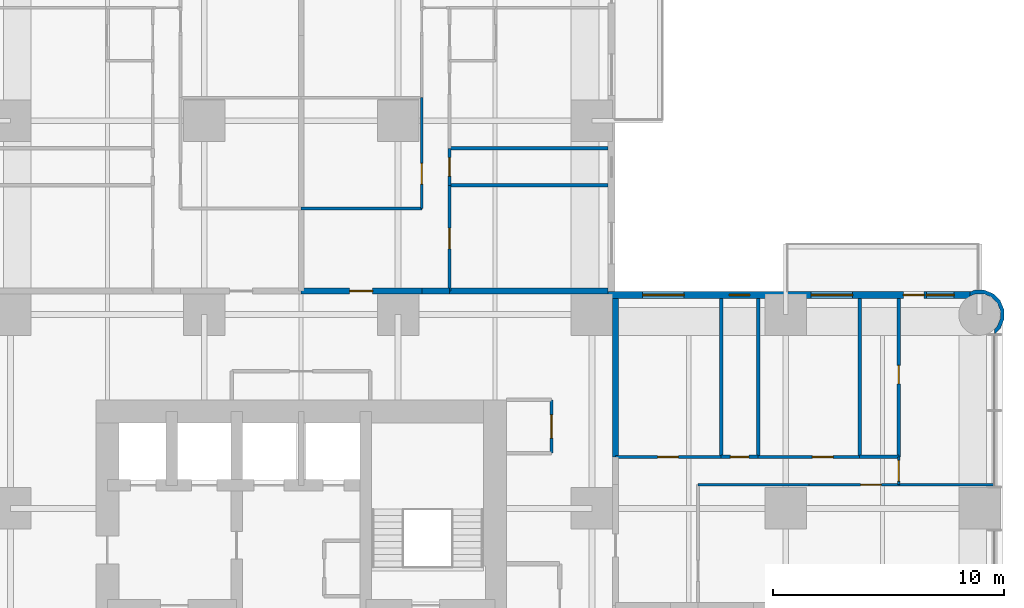
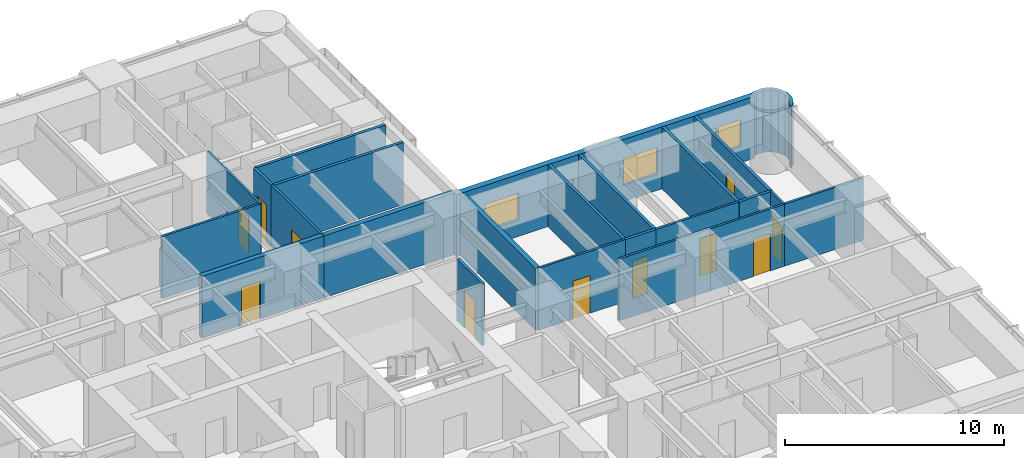
# One storey, part 14 of 17: 25 walls, 12 doors, 4 windows, 16 openings.
"""IFC4 building model written with IfcOpenShell, lengths in metres."""

from ifc_helpers import new_model, si_unit, direction, frame, frame_2d, origin, place, context, subcontext, project, spatial, polyline, rectangle, outline, extrude, material, layer, layer_set, type_object, element, fill, save


model = new_model("IFC4")

# Units and contexts
model_context = context("Model", 3, precision=1e-05, world=origin(), true_north=direction((0.0, 1.0)))
body_context = subcontext(model_context, "Body", "Model", "MODEL_VIEW")
ifc_project = project(units=[si_unit("LENGTHUNIT", "METRE"), si_unit("AREAUNIT", "SQUARE_METRE"), si_unit("VOLUMEUNIT", "CUBIC_METRE"), si_unit("PLANEANGLEUNIT", "RADIAN"), si_unit("MASSUNIT", "GRAM", prefix="KILO")], contexts=[model_context])

# Site, building, storey
site_placement = place(None, origin())
site = spatial("IfcSite", under=ifc_project, at=site_placement, CompositionType="ELEMENT")
building_placement = place(site_placement, origin())
building = spatial("IfcBuilding", under=site, at=building_placement, Name="Torre Alcanfor", CompositionType="ELEMENT")
storey_placement = place(building_placement, frame((0.0, 0.0, 52.5)))
storey = spatial("IfcBuildingStorey", under=building, at=storey_placement, Name="L12", CompositionType="ELEMENT", Elevation=52.5)

# Wall, opening, door
ifc_material_1 = material(Name="Concrete block masonry, hollow blocks NMX-C-404 9 MPa", Category="masonry")
ifc_layer_1 = layer(ifc_material_1, 0.25)
ifc_layer_set_1 = layer_set([ifc_layer_1], Name="Apartment entrance wall 250 EI 60")
wall_type_1 = type_object("IfcWallType", Name="Apartment entrance wall 250 EI 60", PredefinedType="PARTITIONING", material=ifc_layer_set_1)
wall_1_placement = place(storey_placement, frame((29.39990234375, 43.02490234375, 0.0), z_axis=(0.0, 0.0, 1.0), x_axis=(1.0, 0.0, 0.0)))
wall_1 = element("IfcWall", 1, at=wall_1_placement, inside=storey, type_object=wall_type_1, Name="Partition L12-CORR / L12-N2-ZAG", PredefinedType="PARTITIONING", context=body_context, shape_type="SweptSolid", body=[
    extrude(rectangle(XDim=5.22900390625, YDim=0.25, at=frame_2d((2.614501953125, 0.0))), origin(), (0.0, 0.0, 1.0), 3.449951171875),
])
opening_1_placement = place(wall_1_placement, frame((2.10009765625, 0.0, 0.0)))
opening_1 = element("IfcOpeningElement", 2, at=opening_1_placement, cuts=wall_1, Name="Opening D-A1", PredefinedType="OPENING", context=body_context, shape_type="SweptSolid", body=[
    extrude(rectangle(XDim=1.0, YDim=2.10009765625, at=frame_2d((0.5, 1.050048828125))), frame((0.0, 0.135009765625, 0.0), z_axis=(0.0, -1.0, 0.0), x_axis=(1.0, 0.0, 0.0)), (0.0, 0.0, 1.0), 0.27001953125),
])
ifc_material_2 = material(Name="Galvanised steel sheet ASTM A653", Category="steel")
door_type_1 = type_object("IfcDoorType", Name="Apartment entrance door FD60 1000x2100", OperationType="SINGLE_SWING_LEFT", PredefinedType="DOOR", material=ifc_material_2)
door_1_placement = place(opening_1_placement, origin())
door_1 = element("IfcDoor", 3, at=door_1_placement, inside=storey, type_object=door_type_1, Name="Apartment entrance L12-N2", OperationType="SINGLE_SWING_LEFT", OverallHeight=2.10009765625, OverallWidth=1.0, PredefinedType="DOOR", context=body_context, shape_type="SweptSolid", body=[
    extrude(rectangle(XDim=1.0, YDim=2.10009765625, at=frame_2d((0.5, 1.050048828125))), frame((0.0, 0.02490234375, 0.0), z_axis=(0.0, -1.0, 0.0), x_axis=(1.0, 0.0, 0.0)), (0.0, 0.0, 1.0), 0.050048828125),
])
fill(opening_1, door_1)

# Walls
wall_2_placement = place(storey_placement, frame((34.62890625, 43.02490234375, 0.0), z_axis=(0.0, 0.0, 1.0), x_axis=(1.0, 0.0, 0.0)))
element("IfcWall", 4, at=wall_2_placement, inside=storey, type_object=wall_type_1, Name="Partition L12-CORR / L12-N2-HALL", PredefinedType="PARTITIONING", context=body_context, shape_type="SweptSolid", body=[
    extrude(rectangle(XDim=1.2001953125, YDim=0.25, at=frame_2d((0.60009765625, 0.0))), origin(), (0.0, 0.0, 1.0), 3.449951171875),
])
for number, where, z_axis, x_axis, name in (
    (5, (35.8291015625, 43.02490234375, 0.0), (0.0, 0.0, 1.0), (1.0, 0.0, 0.0), "Partition L12-CORR / L12-N2-BED2"),
    (6, (43.02490234375, 42.699951171875, 0.0), (0.0, 0.0, 1.0), (0.0, -1.0, 0.0), "Partition L12-CORR / L12-E1-BED3"),
):
    element("IfcWall", number, at=place(storey_placement, frame(where, z_axis=z_axis, x_axis=x_axis)), inside=storey, type_object=wall_type_1, Name=name, PredefinedType="PARTITIONING", context=body_context, shape_type="SweptSolid", body=[
        extrude(rectangle(XDim=6.870849609375, YDim=0.25, at=frame_2d((3.435546875, 0.0))), origin(), (0.0, 0.0, 1.0), 3.449951171875),
    ])
ifc_material_3 = material(Name="Gypsum board on steel studs", Category="steel")
ifc_layer_2 = layer(ifc_material_3, 0.1201171875)
ifc_layer_set_2 = layer_set([ifc_layer_2], Name="Apartment partition 120")
wall_type_2 = type_object("IfcWallType", Name="Apartment partition 120", PredefinedType="PARTITIONING", material=ifc_layer_set_2)
wall_3_placement = place(storey_placement, frame((29.39990234375, 46.60009765625, 0.0), z_axis=(0.0, 0.0, 1.0), x_axis=(1.0, 0.0, 0.0)))
element("IfcWall", 7, at=wall_3_placement, inside=storey, type_object=wall_type_2, Name="Partition L12-N2-ZAG / L12-N2-FAMILY", PredefinedType="PARTITIONING", context=body_context, shape_type="SweptSolid", body=[
    extrude(rectangle(XDim=5.22900390625, YDim=0.1201171875, at=frame_2d((2.614501953125, 0.0))), origin(), (0.0, 0.0, 1.0), 3.449951171875),
])

# Wall, opening, door
wall_4_placement = place(storey_placement, frame((34.62890625, 51.39990234375, 0.0), z_axis=(0.0, 0.0, 1.0), x_axis=(0.0, -1.0, 0.0)))
wall_4 = element("IfcWall", 8, at=wall_4_placement, inside=storey, type_object=wall_type_2, Name="Partition L12-N2-FAMILY / L12-N2-HALL", PredefinedType="PARTITIONING", context=body_context, shape_type="SweptSolid", body=[
    extrude(rectangle(XDim=4.7998046875, YDim=0.1201171875, at=frame_2d((2.39990234375, 0.0))), origin(), (0.0, 0.0, 1.0), 3.449951171875),
])
opening_2_placement = place(wall_4_placement, frame((2.85009765625, 0.0, 0.0)))
opening_2 = element("IfcOpeningElement", 9, at=opening_2_placement, cuts=wall_4, Name="Opening D-R1", PredefinedType="OPENING", context=body_context, shape_type="SweptSolid", body=[
    extrude(rectangle(XDim=0.89990234375, YDim=2.10009765625, at=frame_2d((0.449951171875, 1.050048828125))), frame((0.0, 0.070068359375, 0.0), z_axis=(0.0, -1.0, 0.0), x_axis=(1.0, 0.0, 0.0)), (0.0, 0.0, 1.0), 0.14013671875),
])
ifc_material_4 = material(Name="Timber", Category="wood")
door_type_2 = type_object("IfcDoorType", Name="Internal door 900x2100", OperationType="SINGLE_SWING_LEFT", PredefinedType="DOOR", material=ifc_material_4)
door_2_placement = place(opening_2_placement, frame((0.89990234375, 0.0, 0.0), z_axis=(0.0, 0.0, 1.0), x_axis=(-1.0, 0.0, 0.0)))
door_2 = element("IfcDoor", 10, at=door_2_placement, inside=storey, type_object=door_type_2, Name="Door L12-N2 family", OperationType="SINGLE_SWING_LEFT", OverallHeight=2.10009765625, OverallWidth=0.89990234375, PredefinedType="DOOR", context=body_context, shape_type="SweptSolid", body=[
    extrude(rectangle(XDim=0.89990234375, YDim=2.10009765625, at=frame_2d((0.449951171875, 1.050048828125))), frame((0.0, 0.025146484375, 0.0), z_axis=(0.0, -1.0, 0.0), x_axis=(1.0, 0.0, 0.0)), (0.0, 0.0, 1.0), 0.050048828125),
])
fill(opening_2, door_2)

wall_5_placement = place(storey_placement, frame((35.8291015625, 47.60009765625, 0.0), z_axis=(0.0, 0.0, 1.0), x_axis=(0.0, -1.0, 0.0)))
wall_5 = element("IfcWall", 11, at=wall_5_placement, inside=storey, type_object=wall_type_2, Name="Partition L12-N2-HALL / L12-N2-BED2", PredefinedType="PARTITIONING", context=body_context, shape_type="SweptSolid", body=[
    extrude(rectangle(XDim=4.5751953125, YDim=0.1201171875, at=frame_2d((2.28759765625, 0.0))), origin(), (0.0, 0.0, 1.0), 3.449951171875),
])
opening_3_placement = place(wall_5_placement, frame((1.85009765625, 0.0, 0.0)))
opening_3 = element("IfcOpeningElement", 12, at=opening_3_placement, cuts=wall_5, Name="Opening D-R1", PredefinedType="OPENING", context=body_context, shape_type="SweptSolid", body=[
    extrude(rectangle(XDim=0.89990234375, YDim=2.10009765625, at=frame_2d((0.449951171875, 1.050048828125))), frame((0.0, 0.070068359375, 0.0), z_axis=(0.0, -1.0, 0.0), x_axis=(1.0, 0.0, 0.0)), (0.0, 0.0, 1.0), 0.14013671875),
])
door_3_placement = place(opening_3_placement, origin())
door_3 = element("IfcDoor", 13, at=door_3_placement, inside=storey, type_object=door_type_2, Name="Door L12-N2 bed2", OperationType="SINGLE_SWING_RIGHT", OverallHeight=2.10009765625, OverallWidth=0.89990234375, PredefinedType="DOOR", context=body_context, shape_type="SweptSolid", body=[
    extrude(rectangle(XDim=0.89990234375, YDim=2.10009765625, at=frame_2d((0.449951171875, 1.050048828125))), frame((0.0, 0.02490234375, 0.0), z_axis=(0.0, -1.0, 0.0), x_axis=(1.0, 0.0, 0.0)), (0.0, 0.0, 1.0), 0.050048828125),
])
fill(opening_3, door_3)

# Wall
wall_6_placement = place(storey_placement, frame((51.39990234375, 34.62890625, 0.0), z_axis=(0.0, 0.0, 1.0), x_axis=(-1.0, 0.0, 0.0)))
element("IfcWall", 14, at=wall_6_placement, inside=storey, type_object=wall_type_2, Name="Partition L12-E1-KITCHEN / L12-E1-HALL", PredefinedType="PARTITIONING", context=body_context, shape_type="SweptSolid", body=[
    extrude(rectangle(XDim=4.7998046875, YDim=0.1201171875, at=frame_2d((2.39990234375, 0.0))), origin(), (0.0, 0.0, 1.0), 3.449951171875),
])

# Wall, opening, door
wall_7_placement = place(storey_placement, frame((55.300048828125, 34.62890625, 0.0), z_axis=(0.0, 0.0, 1.0), x_axis=(-1.0, 0.0, 0.0)))
wall_7 = element("IfcWall", 15, at=wall_7_placement, inside=storey, type_object=wall_type_2, Name="Partition L12-E1-LIVING / L12-E1-HALL", PredefinedType="PARTITIONING", context=body_context, shape_type="SweptSolid", body=[
    extrude(rectangle(XDim=3.900146484375, YDim=0.1201171875, at=frame_2d((1.9501953125, 0.0))), origin(), (0.0, 0.0, 1.0), 3.449951171875),
])
opening_4_placement = place(wall_7_placement, frame((0.75, 0.0, 0.0)))
opening_4 = element("IfcOpeningElement", 16, at=opening_4_placement, cuts=wall_7, Name="Opening D-R1", PredefinedType="OPENING", context=body_context, shape_type="SweptSolid", body=[
    extrude(rectangle(XDim=0.89990234375, YDim=2.10009765625, at=frame_2d((0.449951171875, 1.050048828125))), frame((0.0, 0.070068359375, 0.0), z_axis=(0.0, -1.0, 0.0), x_axis=(1.0, 0.0, 0.0)), (0.0, 0.0, 1.0), 0.14013671875),
])
door_4_placement = place(opening_4_placement, origin())
door_4 = element("IfcDoor", 17, at=door_4_placement, inside=storey, type_object=door_type_2, Name="Door L12-E1 living", OperationType="SINGLE_SWING_RIGHT", OverallHeight=2.10009765625, OverallWidth=0.89990234375, PredefinedType="DOOR", context=body_context, shape_type="SweptSolid", body=[
    extrude(rectangle(XDim=0.89990234375, YDim=2.10009765625, at=frame_2d((0.449951171875, 1.050048828125))), frame((0.0, 0.02490234375, 0.0), z_axis=(0.0, -1.0, 0.0), x_axis=(1.0, 0.0, 0.0)), (0.0, 0.0, 1.0), 0.050048828125),
])
fill(opening_4, door_4)

# Wall
wall_8_placement = place(storey_placement, frame((59.449951171875, 34.62890625, 0.0), z_axis=(0.0, 0.0, 1.0), x_axis=(-1.0, 0.0, 0.0)))
element("IfcWall", 18, at=wall_8_placement, inside=storey, type_object=wall_type_2, Name="Partition L12-E1-LIVING / L12-E1-MASTER", PredefinedType="PARTITIONING", context=body_context, shape_type="SweptSolid", body=[
    extrude(rectangle(XDim=4.14990234375, YDim=0.1201171875, at=frame_2d((2.074951171875, 0.0))), origin(), (0.0, 0.0, 1.0), 3.449951171875),
])

# Wall, opening, door
wall_9_placement = place(storey_placement, frame((47.60009765625, 35.8291015625, 0.0), z_axis=(0.0, 0.0, 1.0), x_axis=(-1.0, 0.0, 0.0)))
wall_9 = element("IfcWall", 19, at=wall_9_placement, inside=storey, type_object=wall_type_2, Name="Partition L12-E1-HALL / L12-E1-BED3", PredefinedType="PARTITIONING", context=body_context, shape_type="SweptSolid", body=[
    extrude(rectangle(XDim=4.5751953125, YDim=0.1201171875, at=frame_2d((2.28759765625, 0.0))), origin(), (0.0, 0.0, 1.0), 3.449951171875),
])
opening_5_placement = place(wall_9_placement, frame((1.85009765625, 0.0, 0.0)))
opening_5 = element("IfcOpeningElement", 20, at=opening_5_placement, cuts=wall_9, Name="Opening D-R1", PredefinedType="OPENING", context=body_context, shape_type="SweptSolid", body=[
    extrude(rectangle(XDim=0.89990234375, YDim=2.10009765625, at=frame_2d((0.449951171875, 1.050048828125))), frame((0.0, 0.070068359375, 0.0), z_axis=(0.0, -1.0, 0.0), x_axis=(1.0, 0.0, 0.0)), (0.0, 0.0, 1.0), 0.14013671875),
])
door_5_placement = place(opening_5_placement, frame((0.89990234375, 0.0, 0.0), z_axis=(0.0, 0.0, 1.0), x_axis=(-1.0, 0.0, 0.0)))
door_5 = element("IfcDoor", 21, at=door_5_placement, inside=storey, type_object=door_type_2, Name="Door L12-E1 bed3", OperationType="SINGLE_SWING_LEFT", OverallHeight=2.10009765625, OverallWidth=0.89990234375, PredefinedType="DOOR", context=body_context, shape_type="SweptSolid", body=[
    extrude(rectangle(XDim=0.89990234375, YDim=2.10009765625, at=frame_2d((0.449951171875, 1.050048828125))), frame((0.0, 0.025146484375, 0.0), z_axis=(0.0, -1.0, 0.0), x_axis=(1.0, 0.0, 0.0)), (0.0, 0.0, 1.0), 0.050048828125),
])
fill(opening_5, door_5)

wall_10_placement = place(storey_placement, frame((53.60009765625, 35.8291015625, 0.0), z_axis=(0.0, 0.0, 1.0), x_axis=(-1.0, 0.0, 0.0)))
wall_10 = element("IfcWall", 22, at=wall_10_placement, inside=storey, type_object=wall_type_2, Name="Partition L12-E1-HALL / L12-E1-BED2", PredefinedType="PARTITIONING", context=body_context, shape_type="SweptSolid", body=[
    extrude(rectangle(XDim=4.400146484375, YDim=0.1201171875, at=frame_2d((2.2001953125, 0.0))), origin(), (0.0, 0.0, 1.0), 3.449951171875),
])
opening_6_placement = place(wall_10_placement, frame((1.14990234375, 0.0, 0.0)))
opening_6 = element("IfcOpeningElement", 23, at=opening_6_placement, cuts=wall_10, Name="Opening D-R1", PredefinedType="OPENING", context=body_context, shape_type="SweptSolid", body=[
    extrude(rectangle(XDim=0.89990234375, YDim=2.10009765625, at=frame_2d((0.449951171875, 1.050048828125))), frame((0.0, 0.070068359375, 0.0), z_axis=(0.0, -1.0, 0.0), x_axis=(1.0, 0.0, 0.0)), (0.0, 0.0, 1.0), 0.14013671875),
])
door_6_placement = place(opening_6_placement, frame((0.89990234375, 0.0, 0.0), z_axis=(0.0, 0.0, 1.0), x_axis=(-1.0, 0.0, 0.0)))
door_6 = element("IfcDoor", 24, at=door_6_placement, inside=storey, type_object=door_type_2, Name="Door L12-E1 bed2", OperationType="SINGLE_SWING_RIGHT", OverallHeight=2.10009765625, OverallWidth=0.89990234375, PredefinedType="DOOR", context=body_context, shape_type="SweptSolid", body=[
    extrude(rectangle(XDim=0.89990234375, YDim=2.10009765625, at=frame_2d((0.449951171875, 1.050048828125))), frame((0.0, 0.025146484375, 0.0), z_axis=(0.0, -1.0, 0.0), x_axis=(1.0, 0.0, 0.0)), (0.0, 0.0, 1.0), 0.050048828125),
])
fill(opening_6, door_6)

wall_11_placement = place(storey_placement, frame((55.300048828125, 34.62890625, 0.0), z_axis=(0.0, 0.0, 1.0), x_axis=(0.0, 1.0, 0.0)))
wall_11 = element("IfcWall", 25, at=wall_11_placement, inside=storey, type_object=wall_type_2, Name="Partition L12-E1-HALL / L12-E1-MASTER", PredefinedType="PARTITIONING", context=body_context, shape_type="SweptSolid", body=[
    extrude(rectangle(XDim=1.2001953125, YDim=0.1201171875, at=frame_2d((0.60009765625, 0.0))), origin(), (0.0, 0.0, 1.0), 3.449951171875),
])
opening_7_placement = place(wall_11_placement, frame((0.15087890625, 0.0, 0.0)))
opening_7 = element("IfcOpeningElement", 26, at=opening_7_placement, cuts=wall_11, Name="Opening D-R1", PredefinedType="OPENING", context=body_context, shape_type="SweptSolid", body=[
    extrude(rectangle(XDim=0.89990234375, YDim=2.10009765625, at=frame_2d((0.449951171875, 1.050048828125))), frame((0.0, 0.070068359375, 0.0), z_axis=(0.0, -1.0, 0.0), x_axis=(1.0, 0.0, 0.0)), (0.0, 0.0, 1.0), 0.14013671875),
])
door_7_placement = place(opening_7_placement, frame((0.89990234375, 0.0, 0.0), z_axis=(0.0, 0.0, 1.0), x_axis=(-1.0, 0.0, 0.0)))
door_7 = element("IfcDoor", 27, at=door_7_placement, inside=storey, type_object=door_type_2, Name="Door L12-E1 master", OperationType="SINGLE_SWING_RIGHT", OverallHeight=2.10009765625, OverallWidth=0.89990234375, PredefinedType="DOOR", context=body_context, shape_type="SweptSolid", body=[
    extrude(rectangle(XDim=0.89990234375, YDim=2.10009765625, at=frame_2d((0.449951171875, 1.050048828125))), frame((0.0, 0.025146484375, 0.0), z_axis=(0.0, -1.0, 0.0), x_axis=(1.0, 0.0, 0.0)), (0.0, 0.0, 1.0), 0.050048828125),
])
fill(opening_7, door_7)

# Wall, openings, door, windows
ifc_material_5 = material(Name="Limestone cladding", Category="masonry")
ifc_layer_3 = layer(ifc_material_5, 0.0400390625, Name="Facing")
ifc_material_6 = material(Name="Ventilated air cavity")
ifc_layer_4 = layer(ifc_material_6, 0.02001953125, ventilated=True, Name="Ventilated joint")
ifc_material_7 = material(Name="Mineral wool insulation", Category="insulation")
ifc_layer_5 = layer(ifc_material_7, 0.10009765625, Name="Insulation")
ifc_material_8 = material(Name="Concrete f'c 35 MPa", Category="concrete")
ifc_layer_6 = layer(ifc_material_8, 0.139892578125, Name="Backing")
ifc_layer_set_3 = layer_set([ifc_layer_3, ifc_layer_4, ifc_layer_5, ifc_layer_6], Name="External wall stone-clad 300")
wall_type_3 = type_object("IfcWallType", Name="External wall stone-clad 300", PredefinedType="SOLIDWALL", material=ifc_layer_set_3)
wall_12_placement = place(storey_placement, frame((58.39990234375, 42.85009765625, 0.0), z_axis=(0.0, 0.0, 1.0), x_axis=(-1.0, 0.0, 0.0)))
wall_12 = element("IfcWall", 28, at=wall_12_placement, inside=storey, type_object=wall_type_3, Name="External wall L12 9", PredefinedType="SOLIDWALL", context=body_context, shape_type="SweptSolid", body=[
    extrude(rectangle(XDim=15.699951171875, YDim=0.300048828125, at=frame_2d((7.85009765625, 0.0))), origin(), (0.0, 0.0, 1.0), 3.449951171875),
])
opening_8_placement = place(wall_12_placement, frame((12.39990234375, 0.0, 0.89990234375)))
opening_8 = element("IfcOpeningElement", 29, at=opening_8_placement, cuts=wall_12, Name="Opening W2", PredefinedType="OPENING", context=body_context, shape_type="SweptSolid", body=[
    extrude(rectangle(XDim=1.800048828125, YDim=1.5, at=frame_2d((0.89990234375, 0.75))), frame((0.0, 0.159912109375, 0.0), z_axis=(0.0, -1.0, 0.0), x_axis=(1.0, 0.0, 0.0)), (0.0, 0.0, 1.0), 0.320068359375),
])
opening_9_placement = place(wall_12_placement, frame((9.550048828125, 0.0, 1.5)))
opening_9 = element("IfcOpeningElement", 30, at=opening_9_placement, cuts=wall_12, Name="Opening W3", PredefinedType="OPENING", context=body_context, shape_type="SweptSolid", body=[
    extrude(rectangle(XDim=0.89990234375, YDim=0.699951171875, at=frame_2d((0.449951171875, 0.35009765625))), frame((0.0, 0.159912109375, 0.0), z_axis=(0.0, -1.0, 0.0), x_axis=(1.0, 0.0, 0.0)), (0.0, 0.0, 1.0), 0.320068359375),
])
opening_10_placement = place(wall_12_placement, frame((5.10009765625, 0.0, 0.89990234375)))
opening_10 = element("IfcOpeningElement", 31, at=opening_10_placement, cuts=wall_12, Name="Opening W2", PredefinedType="OPENING", context=body_context, shape_type="SweptSolid", body=[
    extrude(rectangle(XDim=1.800048828125, YDim=1.5, at=frame_2d((0.89990234375, 0.75))), frame((0.0, 0.159912109375, 0.0), z_axis=(0.0, -1.0, 0.0), x_axis=(1.0, 0.0, 0.0)), (0.0, 0.0, 1.0), 0.320068359375),
])
opening_11_placement = place(wall_12_placement, frame((2.0, 0.0, 0.0)))
opening_11 = element("IfcOpeningElement", 32, at=opening_11_placement, cuts=wall_12, Name="Opening D-B1", PredefinedType="OPENING", context=body_context, shape_type="SweptSolid", body=[
    extrude(rectangle(XDim=0.89990234375, YDim=2.39990234375, at=frame_2d((0.449951171875, 1.199951171875))), frame((0.0, 0.159912109375, 0.0), z_axis=(0.0, -1.0, 0.0), x_axis=(1.0, 0.0, 0.0)), (0.0, 0.0, 1.0), 0.320068359375),
])
opening_12_placement = place(wall_12_placement, frame((0.699951171875, 0.0, 0.89990234375)))
opening_12 = element("IfcOpeningElement", 33, at=opening_12_placement, cuts=wall_12, Name="Opening W4", PredefinedType="OPENING", context=body_context, shape_type="SweptSolid", body=[
    extrude(rectangle(XDim=1.199951171875, YDim=1.5, at=frame_2d((0.60009765625, 0.75))), frame((0.0, 0.159912109375, 0.0), z_axis=(0.0, -1.0, 0.0), x_axis=(1.0, 0.0, 0.0)), (0.0, 0.0, 1.0), 0.320068359375),
])
ifc_material_9 = material(Name="Aluminium and glass", Category="aluminium")
door_type_3 = type_object("IfcDoorType", Name="Balcony door glazed 900x2400", OperationType="SINGLE_SWING_LEFT", PredefinedType="DOOR", material=ifc_material_9)
door_8_placement = place(opening_11_placement, origin())
door_8 = element("IfcDoor", 34, at=door_8_placement, inside=storey, type_object=door_type_3, Name="Balcony door L12-E1", OperationType="SINGLE_SWING_RIGHT", OverallHeight=2.39990234375, OverallWidth=0.89990234375, PredefinedType="DOOR", context=body_context, shape_type="SweptSolid", body=[
    extrude(rectangle(XDim=0.89990234375, YDim=2.39990234375, at=frame_2d((0.449951171875, 1.199951171875))), frame((0.0, 0.02490234375, 0.0), z_axis=(0.0, -1.0, 0.0), x_axis=(1.0, 0.0, 0.0)), (0.0, 0.0, 1.0), 0.050048828125),
])
fill(opening_11, door_8)
ifc_material_10 = material(Name="Aluminium frame with clear double glazing", Category="aluminium")
window_type_1 = type_object("IfcWindowType", Name="Window bathroom 900x700", PartitioningType="SINGLE_PANEL", PredefinedType="WINDOW", material=ifc_material_10)
window_1_placement = place(opening_9_placement, origin())
window_1 = element("IfcWindow", 35, at=window_1_placement, inside=storey, type_object=window_type_1, Name="Window W3 L12-E1", OverallHeight=0.699951171875, OverallWidth=0.89990234375, PartitioningType="SINGLE_PANEL", PredefinedType="WINDOW", context=body_context, shape_type="SweptSolid", body=[
    extrude(rectangle(XDim=0.89990234375, YDim=0.699951171875, at=frame_2d((0.449951171875, 0.35009765625))), frame((0.0, 0.030029296875, 0.0), z_axis=(0.0, -1.0, 0.0), x_axis=(1.0, 0.0, 0.0)), (0.0, 0.0, 1.0), 0.06005859375),
])
fill(opening_9, window_1)
ifc_material_11 = material(Name="Aluminium frame with clear double glazing", Category="aluminium")
window_type_2 = type_object("IfcWindowType", Name="Window bedroom 1200x1500", PartitioningType="SINGLE_PANEL", PredefinedType="WINDOW", material=ifc_material_11)
window_2_placement = place(opening_12_placement, origin())
window_2 = element("IfcWindow", 36, at=window_2_placement, inside=storey, type_object=window_type_2, Name="Window W4 L12-E1", OverallHeight=1.5, OverallWidth=1.199951171875, PartitioningType="SINGLE_PANEL", PredefinedType="WINDOW", context=body_context, shape_type="SweptSolid", body=[
    extrude(rectangle(XDim=1.199951171875, YDim=1.5, at=frame_2d((0.60009765625, 0.75))), frame((0.0, 0.030029296875, 0.0), z_axis=(0.0, -1.0, 0.0), x_axis=(1.0, 0.0, 0.0)), (0.0, 0.0, 1.0), 0.06005859375),
])
fill(opening_12, window_2)
ifc_material_12 = material(Name="Aluminium frame with clear double glazing", Category="aluminium")
window_type_3 = type_object("IfcWindowType", Name="Window bedroom 1800x1500", PartitioningType="SINGLE_PANEL", PredefinedType="WINDOW", material=ifc_material_12)
window_3_placement = place(opening_8_placement, origin())
window_3 = element("IfcWindow", 37, at=window_3_placement, inside=storey, type_object=window_type_3, Name="Window W2 L12-E1", OverallHeight=1.5, OverallWidth=1.800048828125, PartitioningType="SINGLE_PANEL", PredefinedType="WINDOW", context=body_context, shape_type="SweptSolid", body=[
    extrude(rectangle(XDim=1.800048828125, YDim=1.5, at=frame_2d((0.89990234375, 0.75))), frame((0.0, 0.030029296875, 0.0), z_axis=(0.0, -1.0, 0.0), x_axis=(1.0, 0.0, 0.0)), (0.0, 0.0, 1.0), 0.06005859375),
])
fill(opening_8, window_3)
window_4_placement = place(opening_10_placement, origin())
window_4 = element("IfcWindow", 38, at=window_4_placement, inside=storey, type_object=window_type_3, Name="Window W2 L12-E1", OverallHeight=1.5, OverallWidth=1.800048828125, PartitioningType="SINGLE_PANEL", PredefinedType="WINDOW", context=body_context, shape_type="SweptSolid", body=[
    extrude(rectangle(XDim=1.800048828125, YDim=1.5, at=frame_2d((0.89990234375, 0.75))), frame((0.0, 0.030029296875, 0.0), z_axis=(0.0, -1.0, 0.0), x_axis=(1.0, 0.0, 0.0)), (0.0, 0.0, 1.0), 0.06005859375),
])
fill(opening_10, window_4)

# Wall, opening, door
ifc_material_13 = material(Name="Concrete block masonry, hollow blocks NMX-C-404 9 MPa", Category="masonry")
ifc_layer_7 = layer(ifc_material_13, 0.14990234375)
ifc_layer_set_4 = layer_set([ifc_layer_7], Name="Residents' room partition 150")
wall_type_4 = type_object("IfcWallType", Name="Residents' room partition 150", PredefinedType="PARTITIONING", material=ifc_layer_set_4)
wall_13_placement = place(storey_placement, frame((40.25, 36.0, 0.0), z_axis=(0.0, 0.0, 1.0), x_axis=(0.0, 1.0, 0.0)))
wall_13 = element("IfcWall", 39, at=wall_13_placement, inside=storey, type_object=wall_type_4, Name="Partition L12-CORR / L12-G03", PredefinedType="PARTITIONING", context=body_context, shape_type="SweptSolid", body=[
    extrude(rectangle(XDim=2.300048828125, YDim=0.14990234375, at=frame_2d((1.14990234375, 0.0))), origin(), (0.0, 0.0, 1.0), 3.449951171875),
])
opening_13_placement = place(wall_13_placement, frame((0.64990234375, 0.0, 0.0)))
opening_13 = element("IfcOpeningElement", 40, at=opening_13_placement, cuts=wall_13, Name="Opening D-M1", PredefinedType="OPENING", context=body_context, shape_type="SweptSolid", body=[
    extrude(rectangle(XDim=1.0, YDim=2.10009765625, at=frame_2d((0.5, 1.050048828125))), frame((0.0, 0.0849609375, 0.0), z_axis=(0.0, -1.0, 0.0), x_axis=(1.0, 0.0, 0.0)), (0.0, 0.0, 1.0), 0.169921875),
])
ifc_material_14 = material(Name="Timber", Category="wood")
door_type_4 = type_object("IfcDoorType", Name="Residents' room door 1000x2100", OperationType="SINGLE_SWING_LEFT", PredefinedType="DOOR", material=ifc_material_14)
door_9_placement = place(opening_13_placement, origin())
door_9 = element("IfcDoor", 41, at=door_9_placement, inside=storey, type_object=door_type_4, Name="Door L12-G03 parcel room", OperationType="SINGLE_SWING_LEFT", OverallHeight=2.10009765625, OverallWidth=1.0, PredefinedType="DOOR", context=body_context, shape_type="SweptSolid", body=[
    extrude(rectangle(XDim=1.0, YDim=2.10009765625, at=frame_2d((0.5, 1.050048828125))), frame((0.0, 0.02490234375, 0.0), z_axis=(0.0, -1.0, 0.0), x_axis=(1.0, 0.0, 0.0)), (0.0, 0.0, 1.0), 0.050048828125),
])
fill(opening_13, door_9)

# Wall
ifc_layer_8 = layer(ifc_material_5, 0.0400390625, Name="Facing")
ifc_layer_9 = layer(ifc_material_6, 0.02001953125, ventilated=True, Name="Ventilated joint")
ifc_layer_10 = layer(ifc_material_7, 0.10009765625, Name="Insulation")
ifc_layer_11 = layer(ifc_material_8, 0.139892578125, Name="Backing")
ifc_layer_set_5 = layer_set([ifc_layer_8, ifc_layer_9, ifc_layer_10, ifc_layer_11], Name="Rounded corner pier stone-clad 300")
wall_type_5 = type_object("IfcWallType", Name="Rounded corner pier stone-clad 300", PredefinedType="SOLIDWALL", material=ifc_layer_set_5)
wall_14_placement = place(storey_placement, frame((59.410519256, 41.23340608, 0.0), z_axis=(0.0, 0.0, 1.0), x_axis=(0.926129809145, 0.377204953059, 0.0)))
element("IfcWall", 42, at=wall_14_placement, inside=storey, type_object=wall_type_5, Name="Corner pier L12 18", PredefinedType="SOLIDWALL", context=body_context, shape_type="SweptSolid", body=[
    extrude(outline(polyline([(0.6260654471319579, 0.34524919711057256), (0.7850146045978224, 0.7355079985228963), (0.7823098124660501, 1.1573373086599013), (0.6187697625812524, 1.546081906916958), (0.31877691555394516, 1.8425152342918512), (-0.07170799176881437, 2.0015564828107086), (-0.24004949470661174, 2.000526523212158), (-0.2695944713928893, 2.0173049949130335), (-0.36998902843916337, 1.8407134525266757), (-0.10235758996356603, 1.8421635923174307), (0.22956588655630128, 1.7069739265237522), (0.4845024203782949, 1.4552530429107593), (0.6236098424040335, 1.1249645948716174), (0.6257138051575375, 0.7663837026280839), (0.49052413936385914, 0.43446022610821644), (0.23848505878743742, 0.1793896774287799), (0.09020527382959523, 0.11693875386038477), (0.010914877202648991, -0.0777384350249053), (0.02448123182880161, -0.08326389820448342), (0.32940601384662893, 0.045348441136258355), (0.47997135267738844, 0.19755163478368112), (0.49907282709518125, 0.19267151555903828), (0.5076193949673722, 0.22530566424262682), (0.6260654471319579, 0.34524919711057256)])), origin(), (0.0, 0.0, 1.0), 3.449951171875),
])

# Wall, opening, door
ifc_material_15 = material(Name="Cement board on steel studs", Category="steel")
ifc_layer_12 = layer(ifc_material_15, 0.14990234375)
ifc_layer_set_6 = layer_set([ifc_layer_12], Name="Wet area partition 150")
wall_type_6 = type_object("IfcWallType", Name="Wet area partition 150", PredefinedType="PARTITIONING", material=ifc_layer_set_6)
wall_15_placement = place(storey_placement, frame((35.8291015625, 49.199951171875, 0.0), z_axis=(0.0, 0.0, 1.0), x_axis=(0.0, -1.0, 0.0)))
wall_15 = element("IfcWall", 43, at=wall_15_placement, inside=storey, type_object=wall_type_6, Name="Partition L12-N2-HALL / L12-N2-BATH1", PredefinedType="PARTITIONING", context=body_context, shape_type="SweptSolid", body=[
    extrude(rectangle(XDim=1.599853515625, YDim=0.14990234375, at=frame_2d((0.7998046875, 0.0))), origin(), (0.0, 0.0, 1.0), 3.449951171875),
])
opening_14_placement = place(wall_15_placement, frame((0.39990234375, 0.0, 0.0)))
opening_14 = element("IfcOpeningElement", 44, at=opening_14_placement, cuts=wall_15, Name="Opening D-R2", PredefinedType="OPENING", context=body_context, shape_type="SweptSolid", body=[
    extrude(rectangle(XDim=0.800048828125, YDim=2.10009765625, at=frame_2d((0.39990234375, 1.050048828125))), frame((0.0, 0.0849609375, 0.0), z_axis=(0.0, -1.0, 0.0), x_axis=(1.0, 0.0, 0.0)), (0.0, 0.0, 1.0), 0.169921875),
])
ifc_material_16 = material(Name="Timber", Category="wood")
door_type_5 = type_object("IfcDoorType", Name="Bathroom door 800x2100", OperationType="SINGLE_SWING_LEFT", PredefinedType="DOOR", material=ifc_material_16)
door_10_placement = place(opening_14_placement, origin())
door_10 = element("IfcDoor", 45, at=door_10_placement, inside=storey, type_object=door_type_5, Name="Door L12-N2 bath1", OperationType="SINGLE_SWING_LEFT", OverallHeight=2.10009765625, OverallWidth=0.800048828125, PredefinedType="DOOR", context=body_context, shape_type="SweptSolid", body=[
    extrude(rectangle(XDim=0.800048828125, YDim=2.10009765625, at=frame_2d((0.39990234375, 1.050048828125))), frame((0.0, 0.02490234375, 0.0), z_axis=(0.0, -1.0, 0.0), x_axis=(1.0, 0.0, 0.0)), (0.0, 0.0, 1.0), 0.050048828125),
])
fill(opening_14, door_10)

# Walls
for number, where, z_axis, x_axis, name in (
    (46, (35.8291015625, 47.60009765625, 0.0), (0.0, 0.0, 1.0), (1.0, 0.0, 0.0), "Partition L12-N2-BED2 / L12-N2-BATH1"),
    (47, (35.8291015625, 49.199951171875, 0.0), (0.0, 0.0, 1.0), (1.0, 0.0, 0.0), "Partition L12-N2-BATH1 / L12-N2-MASTER"),
):
    element("IfcWall", number, at=place(storey_placement, frame(where, z_axis=z_axis, x_axis=x_axis)), inside=storey, type_object=wall_type_6, Name=name, PredefinedType="PARTITIONING", context=body_context, shape_type="SweptSolid", body=[
        extrude(rectangle(XDim=6.870849609375, YDim=0.14990234375, at=frame_2d((3.435546875, 0.0))), origin(), (0.0, 0.0, 1.0), 3.449951171875),
    ])

# Wall, opening, door
wall_16_placement = place(storey_placement, frame((49.199951171875, 35.8291015625, 0.0), z_axis=(0.0, 0.0, 1.0), x_axis=(-1.0, 0.0, 0.0)))
wall_16 = element("IfcWall", 48, at=wall_16_placement, inside=storey, type_object=wall_type_6, Name="Partition L12-E1-HALL / L12-E1-BATH1", PredefinedType="PARTITIONING", context=body_context, shape_type="SweptSolid", body=[
    extrude(rectangle(XDim=1.599853515625, YDim=0.14990234375, at=frame_2d((0.7998046875, 0.0))), origin(), (0.0, 0.0, 1.0), 3.449951171875),
])
opening_15_placement = place(wall_16_placement, frame((0.39990234375, 0.0, 0.0)))
opening_15 = element("IfcOpeningElement", 49, at=opening_15_placement, cuts=wall_16, Name="Opening D-R2", PredefinedType="OPENING", context=body_context, shape_type="SweptSolid", body=[
    extrude(rectangle(XDim=0.800048828125, YDim=2.10009765625, at=frame_2d((0.39990234375, 1.050048828125))), frame((0.0, 0.0849609375, 0.0), z_axis=(0.0, -1.0, 0.0), x_axis=(1.0, 0.0, 0.0)), (0.0, 0.0, 1.0), 0.169921875),
])
door_11_placement = place(opening_15_placement, frame((0.800048828125, 0.0, 0.0), z_axis=(0.0, 0.0, 1.0), x_axis=(-1.0, 0.0, 0.0)))
door_11 = element("IfcDoor", 50, at=door_11_placement, inside=storey, type_object=door_type_5, Name="Door L12-E1 bath1", OperationType="SINGLE_SWING_RIGHT", OverallHeight=2.10009765625, OverallWidth=0.800048828125, PredefinedType="DOOR", context=body_context, shape_type="SweptSolid", body=[
    extrude(rectangle(XDim=0.800048828125, YDim=2.10009765625, at=frame_2d((0.400146484375, 1.050048828125))), frame((0.0, 0.025146484375, 0.0), z_axis=(0.0, -1.0, 0.0), x_axis=(1.0, 0.0, 0.0)), (0.0, 0.0, 1.0), 0.050048828125),
])
fill(opening_15, door_11)

# Walls
wall_17_placement = place(storey_placement, frame((55.300048828125, 35.8291015625, 0.0), z_axis=(0.0, 0.0, 1.0), x_axis=(-1.0, 0.0, 0.0)))
element("IfcWall", 51, at=wall_17_placement, inside=storey, type_object=wall_type_6, Name="Partition L12-E1-HALL / L12-E1-ENSBATH", PredefinedType="PARTITIONING", context=body_context, shape_type="SweptSolid", body=[
    extrude(rectangle(XDim=1.699951171875, YDim=0.14990234375, at=frame_2d((0.85009765625, 0.0))), origin(), (0.0, 0.0, 1.0), 3.449951171875),
])
for number, where, z_axis, x_axis, name in (
    (52, (47.60009765625, 35.8291015625, 0.0), (0.0, 0.0, 1.0), (0.0, 1.0, 0.0), "Partition L12-E1-BED3 / L12-E1-BATH1"),
    (53, (49.199951171875, 35.8291015625, 0.0), (0.0, 0.0, 1.0), (0.0, 1.0, 0.0), "Partition L12-E1-BATH1 / L12-E1-BED2"),
    (54, (53.60009765625, 35.8291015625, 0.0), (0.0, 0.0, 1.0), (0.0, 1.0, 0.0), "Partition L12-E1-BED2 / L12-E1-ENSBATH"),
):
    element("IfcWall", number, at=place(storey_placement, frame(where, z_axis=z_axis, x_axis=x_axis)), inside=storey, type_object=wall_type_6, Name=name, PredefinedType="PARTITIONING", context=body_context, shape_type="SweptSolid", body=[
        extrude(rectangle(XDim=6.870849609375, YDim=0.14990234375, at=frame_2d((3.435546875, 0.0))), origin(), (0.0, 0.0, 1.0), 3.449951171875),
    ])

# Wall, opening, door
wall_18_placement = place(storey_placement, frame((55.300048828125, 35.8291015625, 0.0), z_axis=(0.0, 0.0, 1.0), x_axis=(0.0, 1.0, 0.0)))
wall_18 = element("IfcWall", 55, at=wall_18_placement, inside=storey, type_object=wall_type_6, Name="Partition L12-E1-ENSBATH / L12-E1-MASTER", PredefinedType="PARTITIONING", context=body_context, shape_type="SweptSolid", body=[
    extrude(rectangle(XDim=6.870849609375, YDim=0.14990234375, at=frame_2d((3.435546875, 0.0))), origin(), (0.0, 0.0, 1.0), 3.449951171875),
])
opening_16_placement = place(wall_18_placement, frame((3.1708984375, 0.0, 0.0)))
opening_16 = element("IfcOpeningElement", 56, at=opening_16_placement, cuts=wall_18, Name="Opening D-R2", PredefinedType="OPENING", context=body_context, shape_type="SweptSolid", body=[
    extrude(rectangle(XDim=0.800048828125, YDim=2.10009765625, at=frame_2d((0.39990234375, 1.050048828125))), frame((0.0, 0.0849609375, 0.0), z_axis=(0.0, -1.0, 0.0), x_axis=(1.0, 0.0, 0.0)), (0.0, 0.0, 1.0), 0.169921875),
])
door_12_placement = place(opening_16_placement, origin())
door_12 = element("IfcDoor", 57, at=door_12_placement, inside=storey, type_object=door_type_5, Name="Door L12-E1 ensbath", OperationType="SINGLE_SWING_RIGHT", OverallHeight=2.10009765625, OverallWidth=0.800048828125, PredefinedType="DOOR", context=body_context, shape_type="SweptSolid", body=[
    extrude(rectangle(XDim=0.800048828125, YDim=2.10009765625, at=frame_2d((0.39990234375, 1.050048828125))), frame((0.0, 0.02490234375, 0.0), z_axis=(0.0, -1.0, 0.0), x_axis=(1.0, 0.0, 0.0)), (0.0, 0.0, 1.0), 0.050048828125),
])
fill(opening_16, door_12)

save(model, "model.ifc")
